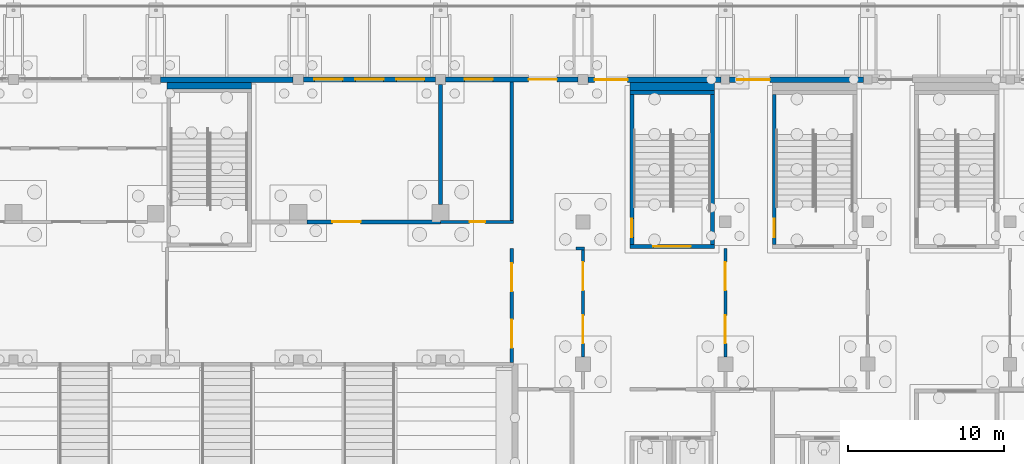
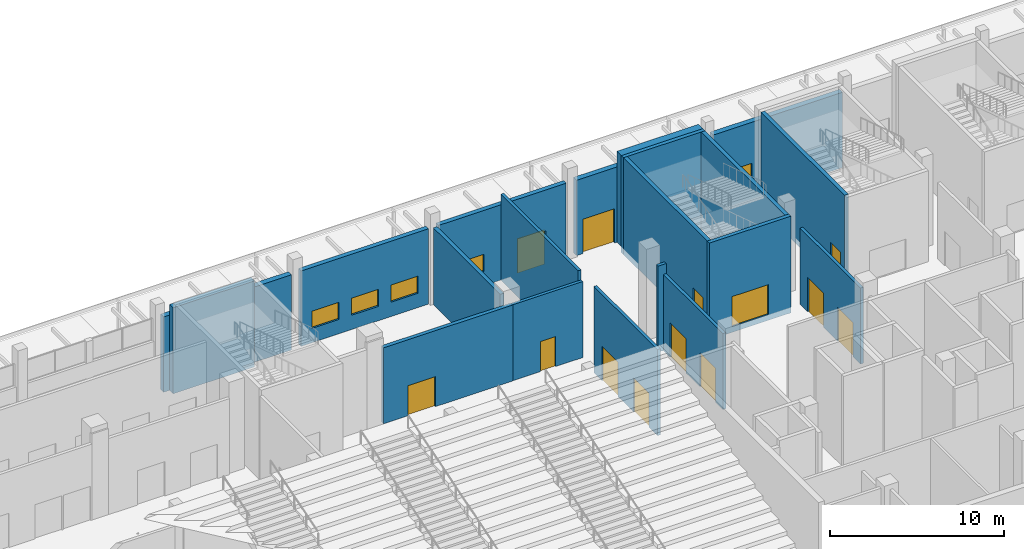
# One storey, part 82 of 129: 20 walls, 14 doors, 4 windows, 18 openings.
"""IFC4 building model written with IfcOpenShell, lengths in metres."""

from ifc_helpers import new_model, si_unit, direction, frame, frame_2d, origin, place, context, subcontext, project, spatial, rectangle, extrude, material, layer, layer_set, type_object, element, fill, save


model = new_model("IFC4")

# Units and contexts
model_context = context("Model", 3, precision=1e-05, world=origin(), true_north=direction((0.0, 1.0)))
body_context = subcontext(model_context, "Body", "Model", "MODEL_VIEW")
ifc_project = project(units=[si_unit("LENGTHUNIT", "METRE"), si_unit("AREAUNIT", "SQUARE_METRE"), si_unit("VOLUMEUNIT", "CUBIC_METRE"), si_unit("PLANEANGLEUNIT", "RADIAN"), si_unit("MASSUNIT", "GRAM", prefix="KILO")], contexts=[model_context])

# Site, building, storey
site_placement = place(None, origin())
site = spatial("IfcSite", under=ifc_project, at=site_placement, CompositionType="ELEMENT")
building_placement = place(site_placement, origin())
building = spatial("IfcBuilding", under=site, at=building_placement, Name="Shirokan Park Arena", CompositionType="ELEMENT")
storey_placement = place(building_placement, origin())
storey = spatial("IfcBuildingStorey", under=building, at=storey_placement, Name="L00", CompositionType="ELEMENT", Elevation=0.0)

# Wall, openings, window, door
ifc_material_1 = material(Name="Board-formed concrete C40/50", Category="concrete")
ifc_layer_1 = layer(ifc_material_1, 0.1201171875, Name="Board-formed concrete C40/50")
ifc_material_2 = material(Name="Mineral wool insulation")
ifc_layer_2 = layer(ifc_material_2, 0.10009765625, Name="Mineral wool insulation")
ifc_material_3 = material(Name="Concrete C35", Category="concrete")
ifc_layer_3 = layer(ifc_material_3, 0.080078125, Name="Concrete C35")
ifc_layer_set_1 = layer_set([ifc_layer_1, ifc_layer_2, ifc_layer_3], Name="Board-formed concrete C40/50 + Mineral wool insulation + Concrete C35")
wall_type_1 = type_object("IfcWallType", Name="Board-formed concrete base wall 300", PredefinedType="SOLIDWALL", material=ifc_layer_set_1)
wall_1_placement = place(storey_placement, frame((108.875, 109.199951171875, 0.0), z_axis=(0.0, 0.0, 1.0), x_axis=(-1.0, 0.0, 0.0)))
wall_1 = element("IfcWall", 1, at=wall_1_placement, inside=storey, type_object=wall_type_1, Name="North facade wall bay 5 L00", PredefinedType="SOLIDWALL", context=body_context, shape_type="SweptSolid", body=[
    extrude(rectangle(XDim=8.449951171875, YDim=0.300048828125, at=frame_2d((4.22509765625, 0.0))), origin(), (0.0, 0.0, 1.0), 5.27001953125),
])
opening_1_placement = place(wall_1_placement, frame((1.35009765625, 0.0, 0.0)))
opening_1 = element("IfcOpeningElement", 2, at=opening_1_placement, cuts=wall_1, Name="Opening G24", PredefinedType="OPENING", context=body_context, shape_type="SweptSolid", body=[
    extrude(rectangle(XDim=1.800048828125, YDim=2.39990234375, at=frame_2d((0.89990234375, 1.199951171875))), frame((0.0, 0.159912109375, 0.0), z_axis=(0.0, -1.0, 0.0), x_axis=(1.0, 0.0, 0.0)), (0.0, 0.0, 1.0), 0.320068359375),
])
opening_2_placement = place(wall_1_placement, frame((5.4375, 0.0, 1.0)))
opening_2 = element("IfcOpeningElement", 3, at=opening_2_placement, cuts=wall_1, Name="Opening W4", PredefinedType="OPENING", context=body_context, shape_type="SweptSolid", body=[
    extrude(rectangle(XDim=1.800048828125, YDim=1.199951171875, at=frame_2d((0.89990234375, 0.60009765625))), frame((0.0, 0.159912109375, 0.0), z_axis=(0.0, -1.0, 0.0), x_axis=(1.0, 0.0, 0.0)), (0.0, 0.0, 1.0), 0.320068359375),
])
ifc_material_4 = material(Name="Aluminium frame with laminated glass", Category="aluminium")
window_type = type_object("IfcWindowType", Name="Entrance zone window 1800x1200", PartitioningType="DOUBLE_PANEL_VERTICAL", PredefinedType="WINDOW", material=ifc_material_4)
window_1_placement = place(opening_2_placement, origin())
window_1 = element("IfcWindow", 4, at=window_1_placement, inside=storey, type_object=window_type, Name="Entrance zone window 1800x1200 north bay 5 L00", OverallHeight=1.199951171875, OverallWidth=1.800048828125, PartitioningType="SINGLE_PANEL", PredefinedType="WINDOW", context=body_context, shape_type="SweptSolid", body=[
    extrude(rectangle(XDim=1.800048828125, YDim=1.199951171875, at=frame_2d((0.89990234375, 0.60009765625))), frame((0.0, 0.030029296875, 0.0), z_axis=(0.0, -1.0, 0.0), x_axis=(1.0, 0.0, 0.0)), (0.0, 0.0, 1.0), 0.06005859375),
])
fill(opening_2, window_1)
ifc_material_5 = material(Name="Steel and glass door", Category="steel")
door_type_1 = type_object("IfcDoorType", Name="Exit door pair 1800x2400", OperationType="DOUBLE_DOOR_SINGLE_SWING", PredefinedType="DOOR", material=ifc_material_5)
door_1_placement = place(opening_1_placement, frame((1.800048828125, 0.0, 0.0), z_axis=(0.0, 0.0, 1.0), x_axis=(-1.0, 0.0, 0.0)))
door_1 = element("IfcDoor", 5, at=door_1_placement, inside=storey, type_object=door_type_1, Name="Pedestrian exit gate G24", OperationType="DOUBLE_DOOR_SINGLE_SWING", OverallHeight=2.39990234375, OverallWidth=1.800048828125, PredefinedType="DOOR", context=body_context, shape_type="SweptSolid", body=[
    extrude(rectangle(XDim=1.800048828125, YDim=2.39990234375, at=frame_2d((0.89990234375, 1.199951171875))), frame((0.0, 0.02490234375, 0.0), z_axis=(0.0, -1.0, 0.0), x_axis=(1.0, 0.0, 0.0)), (0.0, 0.0, 1.0), 0.050048828125),
])
fill(opening_1, door_1)

# Wall, openings, windows
wall_2_placement = place(storey_placement, frame((99.77490234375, 109.199951171875, 0.0), z_axis=(0.0, 0.0, 1.0), x_axis=(-1.0, 0.0, 0.0)))
wall_2 = element("IfcWall", 6, at=wall_2_placement, inside=storey, type_object=wall_type_1, Name="North facade wall bay 6 L00", PredefinedType="SOLIDWALL", context=body_context, shape_type="SweptSolid", body=[
    extrude(rectangle(XDim=8.449951171875, YDim=0.300048828125, at=frame_2d((4.22509765625, 0.0))), origin(), (0.0, 0.0, 1.0), 5.27001953125),
])
opening_3_placement = place(wall_2_placement, frame((0.708251953125, 0.0, 1.0)))
opening_3 = element("IfcOpeningElement", 7, at=opening_3_placement, cuts=wall_2, Name="Opening W4", PredefinedType="OPENING", context=body_context, shape_type="SweptSolid", body=[
    extrude(rectangle(XDim=1.800048828125, YDim=1.199951171875, at=frame_2d((0.89990234375, 0.60009765625))), frame((0.0, 0.159912109375, 0.0), z_axis=(0.0, -1.0, 0.0), x_axis=(1.0, 0.0, 0.0)), (0.0, 0.0, 1.0), 0.320068359375),
])
opening_4_placement = place(wall_2_placement, frame((3.324951171875, 0.0, 1.0)))
opening_4 = element("IfcOpeningElement", 8, at=opening_4_placement, cuts=wall_2, Name="Opening W4", PredefinedType="OPENING", context=body_context, shape_type="SweptSolid", body=[
    extrude(rectangle(XDim=1.800048828125, YDim=1.199951171875, at=frame_2d((0.89990234375, 0.60009765625))), frame((0.0, 0.159912109375, 0.0), z_axis=(0.0, -1.0, 0.0), x_axis=(1.0, 0.0, 0.0)), (0.0, 0.0, 1.0), 0.320068359375),
])
opening_5_placement = place(wall_2_placement, frame((5.941650390625, 0.0, 1.0)))
opening_5 = element("IfcOpeningElement", 9, at=opening_5_placement, cuts=wall_2, Name="Opening W4", PredefinedType="OPENING", context=body_context, shape_type="SweptSolid", body=[
    extrude(rectangle(XDim=1.800048828125, YDim=1.199951171875, at=frame_2d((0.89990234375, 0.60009765625))), frame((0.0, 0.159912109375, 0.0), z_axis=(0.0, -1.0, 0.0), x_axis=(1.0, 0.0, 0.0)), (0.0, 0.0, 1.0), 0.320068359375),
])
window_2_placement = place(opening_3_placement, origin())
window_2 = element("IfcWindow", 10, at=window_2_placement, inside=storey, type_object=window_type, Name="Entrance zone window 1800x1200 north bay 6 L00", OverallHeight=1.199951171875, OverallWidth=1.800048828125, PartitioningType="SINGLE_PANEL", PredefinedType="WINDOW", context=body_context, shape_type="SweptSolid", body=[
    extrude(rectangle(XDim=1.800048828125, YDim=1.199951171875, at=frame_2d((0.89990234375, 0.60009765625))), frame((0.0, 0.030029296875, 0.0), z_axis=(0.0, -1.0, 0.0), x_axis=(1.0, 0.0, 0.0)), (0.0, 0.0, 1.0), 0.06005859375),
])
fill(opening_3, window_2)
window_3_placement = place(opening_4_placement, origin())
window_3 = element("IfcWindow", 11, at=window_3_placement, inside=storey, type_object=window_type, Name="Entrance zone window 1800x1200 north bay 6 L00", OverallHeight=1.199951171875, OverallWidth=1.800048828125, PartitioningType="SINGLE_PANEL", PredefinedType="WINDOW", context=body_context, shape_type="SweptSolid", body=[
    extrude(rectangle(XDim=1.800048828125, YDim=1.199951171875, at=frame_2d((0.89990234375, 0.60009765625))), frame((0.0, 0.030029296875, 0.0), z_axis=(0.0, -1.0, 0.0), x_axis=(1.0, 0.0, 0.0)), (0.0, 0.0, 1.0), 0.06005859375),
])
fill(opening_4, window_3)
window_4_placement = place(opening_5_placement, origin())
window_4 = element("IfcWindow", 12, at=window_4_placement, inside=storey, type_object=window_type, Name="Entrance zone window 1800x1200 north bay 6 L00", OverallHeight=1.199951171875, OverallWidth=1.800048828125, PartitioningType="SINGLE_PANEL", PredefinedType="WINDOW", context=body_context, shape_type="SweptSolid", body=[
    extrude(rectangle(XDim=1.800048828125, YDim=1.199951171875, at=frame_2d((0.89990234375, 0.60009765625))), frame((0.0, 0.030029296875, 0.0), z_axis=(0.0, -1.0, 0.0), x_axis=(1.0, 0.0, 0.0)), (0.0, 0.0, 1.0), 0.06005859375),
])
fill(opening_5, window_4)

# Wall
ifc_material_6 = material(Name="Plaster")
ifc_layer_4 = layer(ifc_material_6, 0.014892578125, Name="Plaster")
ifc_material_7 = material(Name="Concrete blockwork", Category="masonry")
ifc_layer_5 = layer(ifc_material_7, 0.219970703125, Name="Concrete blockwork 220")
ifc_layer_6 = layer(ifc_material_6, 0.014892578125, Name="Plaster")
ifc_layer_set_2 = layer_set([ifc_layer_4, ifc_layer_5, ifc_layer_6], Name="Plaster + Concrete blockwork 220")
wall_type_2 = type_object("IfcWallType", Name="Compartment wall 250", PredefinedType="SOLIDWALL", material=ifc_layer_set_2)
wall_3_placement = place(storey_placement, frame((100.10009765625, 108.875, 0.0), z_axis=(0.0, 0.0, 1.0), x_axis=(0.0, -1.0, 0.0)))
element("IfcWall", 13, at=wall_3_placement, inside=storey, type_object=wall_type_2, Name="Compartment wall 250 L00", PredefinedType="SOLIDWALL", context=body_context, shape_type="SweptSolid", body=[
    extrude(rectangle(XDim=7.675048828125, YDim=0.25, at=frame_2d((3.83740234375, 0.0))), origin(), (0.0, 0.0, 1.0), 5.3701171875),
])

# Wall, opening, door
wall_4_placement = place(storey_placement, frame((91.550048828125, 100.10009765625, 0.0), z_axis=(0.0, 0.0, 1.0), x_axis=(1.0, 0.0, 0.0)))
wall_4 = element("IfcWall", 14, at=wall_4_placement, inside=storey, type_object=wall_type_2, Name="Compartment wall 250 L00", PredefinedType="SOLIDWALL", context=body_context, shape_type="SweptSolid", body=[
    extrude(rectangle(XDim=8.550048828125, YDim=0.25, at=frame_2d((4.27490234375, 0.0))), origin(), (0.0, 0.0, 1.0), 5.320068359375),
])
opening_6_placement = place(wall_4_placement, frame((1.6298828125, 0.0, 0.0)))
opening_6 = element("IfcOpeningElement", 15, at=opening_6_placement, cuts=wall_4, Name="Opening D-0030", PredefinedType="OPENING", context=body_context, shape_type="SweptSolid", body=[
    extrude(rectangle(XDim=1.800048828125, YDim=2.10009765625, at=frame_2d((0.89990234375, 1.050048828125))), frame((0.0, 0.135009765625, 0.0), z_axis=(0.0, -1.0, 0.0), x_axis=(1.0, 0.0, 0.0)), (0.0, 0.0, 1.0), 0.27001953125),
])
ifc_material_8 = material(Name="Timber door set, fire resisting", Category="wood")
door_type_2 = type_object("IfcDoorType", Name="Double door 1800 x 2100", OperationType="DOUBLE_DOOR_SINGLE_SWING", PredefinedType="DOOR", material=ifc_material_8)
door_2_placement = place(opening_6_placement, origin())
door_2 = element("IfcDoor", 16, at=door_2_placement, inside=storey, type_object=door_type_2, Name="Door to Security Control Room 0.32 D-0030", OperationType="DOUBLE_DOOR_SINGLE_SWING", OverallHeight=2.10009765625, OverallWidth=1.800048828125, PredefinedType="DOOR", context=body_context, shape_type="SweptSolid", body=[
    extrude(rectangle(XDim=1.800048828125, YDim=2.10009765625, at=frame_2d((0.89990234375, 1.050048828125))), frame((0.0, 0.02490234375, 0.0), z_axis=(0.0, -1.0, 0.0), x_axis=(1.0, 0.0, 0.0)), (0.0, 0.0, 1.0), 0.050048828125),
])
fill(opening_6, door_2)

ifc_material_9 = material(Name="Gypsum board")
ifc_layer_7 = layer(ifc_material_9, 0.02490234375, Name="Gypsum board, two layers")
ifc_layer_8 = layer(ifc_material_2, 0.14990234375, Name="Mineral wool insulation")
ifc_layer_9 = layer(ifc_material_9, 0.02490234375, Name="Gypsum board, two layers")
ifc_layer_set_3 = layer_set([ifc_layer_7, ifc_layer_8, ifc_layer_9], Name="Gypsum board, two layers + Mineral wool insulation")
wall_type_3 = type_object("IfcWallType", Name="Corridor wall 200", PredefinedType="PARTITIONING", material=ifc_layer_set_3)
wall_5_placement = place(storey_placement, frame((100.10009765625, 100.10009765625, 0.0), z_axis=(0.0, 0.0, 1.0), x_axis=(1.0, 0.0, 0.0)))
wall_5 = element("IfcWall", 17, at=wall_5_placement, inside=storey, type_object=wall_type_3, Name="Corridor wall 200 L00", PredefinedType="PARTITIONING", context=body_context, shape_type="SweptSolid", body=[
    extrude(rectangle(XDim=4.64990234375, YDim=0.199951171875, at=frame_2d((2.324951171875, 0.0))), origin(), (0.0, 0.0, 1.0), 5.320068359375),
])
opening_7_placement = place(wall_5_placement, frame((1.85009765625, 0.0, 0.0)))
opening_7 = element("IfcOpeningElement", 18, at=opening_7_placement, cuts=wall_5, Name="Opening D-0031", PredefinedType="OPENING", context=body_context, shape_type="SweptSolid", body=[
    extrude(rectangle(XDim=1.0, YDim=2.10009765625, at=frame_2d((0.5, 1.050048828125))), frame((0.0, 0.10986328125, 0.0), z_axis=(0.0, -1.0, 0.0), x_axis=(1.0, 0.0, 0.0)), (0.0, 0.0, 1.0), 0.219970703125),
])
door_type_3 = type_object("IfcDoorType", Name="Door 1000 x 2100", OperationType="SINGLE_SWING_LEFT", PredefinedType="DOOR", material=ifc_material_8)
door_3_placement = place(opening_7_placement, origin())
door_3 = element("IfcDoor", 19, at=door_3_placement, inside=storey, type_object=door_type_3, Name="Door to Box Office 0.33 D-0031", OperationType="SINGLE_SWING_LEFT", OverallHeight=2.10009765625, OverallWidth=1.0, PredefinedType="DOOR", context=body_context, shape_type="SweptSolid", body=[
    extrude(rectangle(XDim=1.0, YDim=2.10009765625, at=frame_2d((0.5, 1.050048828125))), frame((0.0, 0.02490234375, 0.0), z_axis=(0.0, -1.0, 0.0), x_axis=(1.0, 0.0, 0.0)), (0.0, 0.0, 1.0), 0.050048828125),
])
fill(opening_7, door_3)

# Wall, openings, doors
wall_6_placement = place(storey_placement, frame((104.64990234375, 91.10009765625, 0.0), z_axis=(0.0, 0.0, 1.0), x_axis=(0.0, 1.0, 0.0)))
wall_6 = element("IfcWall", 20, at=wall_6_placement, inside=storey, type_object=wall_type_3, Name="Corridor wall 200 L00", PredefinedType="PARTITIONING", context=body_context, shape_type="SweptSolid", body=[
    extrude(rectangle(XDim=7.2998046875, YDim=0.199951171875, at=frame_2d((3.64990234375, 0.0))), origin(), (0.0, 0.0, 1.0), 6.02001953125),
])
opening_8_placement = place(wall_6_placement, frame((0.949951171875, 0.0, 0.0)))
opening_8 = element("IfcOpeningElement", 21, at=opening_8_placement, cuts=wall_6, Name="Opening D-0083", PredefinedType="OPENING", context=body_context, shape_type="SweptSolid", body=[
    extrude(rectangle(XDim=1.800048828125, YDim=2.39990234375, at=frame_2d((0.89990234375, 1.199951171875))), frame((0.0, 0.10986328125, 0.0), z_axis=(0.0, -1.0, 0.0), x_axis=(1.0, 0.0, 0.0)), (0.0, 0.0, 1.0), 0.219970703125),
])
opening_9_placement = place(wall_6_placement, frame((4.550048828125, 0.0, 0.0)))
opening_9 = element("IfcOpeningElement", 22, at=opening_9_placement, cuts=wall_6, Name="Opening D-0084", PredefinedType="OPENING", context=body_context, shape_type="SweptSolid", body=[
    extrude(rectangle(XDim=1.800048828125, YDim=2.39990234375, at=frame_2d((0.89990234375, 1.199951171875))), frame((0.0, 0.10986328125, 0.0), z_axis=(0.0, -1.0, 0.0), x_axis=(1.0, 0.0, 0.0)), (0.0, 0.0, 1.0), 0.219970703125),
])
ifc_material_10 = material(Name="Glazed steel door set, fire resisting", Category="steel")
door_type_4 = type_object("IfcDoorType", Name="Lift lobby door 1800 x 2400", OperationType="DOUBLE_DOOR_SINGLE_SWING", PredefinedType="DOOR", material=ifc_material_10)
door_4_placement = place(opening_8_placement, origin())
door_4 = element("IfcDoor", 23, at=door_4_placement, inside=storey, type_object=door_type_4, Name="Door between Players Lounge 3.0.5 and Cloakroom Hall E4 D-0083", OperationType="DOUBLE_DOOR_SINGLE_SWING", OverallHeight=2.39990234375, OverallWidth=1.800048828125, PredefinedType="DOOR", context=body_context, shape_type="SweptSolid", body=[
    extrude(rectangle(XDim=1.800048828125, YDim=2.39990234375, at=frame_2d((0.89990234375, 1.199951171875))), frame((0.0, 0.02490234375, 0.0), z_axis=(0.0, -1.0, 0.0), x_axis=(1.0, 0.0, 0.0)), (0.0, 0.0, 1.0), 0.050048828125),
])
fill(opening_8, door_4)
door_5_placement = place(opening_9_placement, origin())
door_5 = element("IfcDoor", 24, at=door_5_placement, inside=storey, type_object=door_type_4, Name="Door between Players Lounge 3.0.5 and Cloakroom Hall E4 D-0084", OperationType="DOUBLE_DOOR_SINGLE_SWING", OverallHeight=2.39990234375, OverallWidth=1.800048828125, PredefinedType="DOOR", context=body_context, shape_type="SweptSolid", body=[
    extrude(rectangle(XDim=1.800048828125, YDim=2.39990234375, at=frame_2d((0.89990234375, 1.199951171875))), frame((0.0, 0.02490234375, 0.0), z_axis=(0.0, -1.0, 0.0), x_axis=(1.0, 0.0, 0.0)), (0.0, 0.0, 1.0), 0.050048828125),
])
fill(opening_9, door_5)

# Wall
wall_7_placement = place(storey_placement, frame((104.64990234375, 100.199951171875, 0.0), z_axis=(0.0, 0.0, 1.0), x_axis=(0.0, 1.0, 0.0)))
element("IfcWall", 25, at=wall_7_placement, inside=storey, type_object=wall_type_3, Name="Corridor wall 200 L00", PredefinedType="PARTITIONING", context=body_context, shape_type="SweptSolid", body=[
    extrude(rectangle(XDim=8.85009765625, YDim=0.199951171875, at=frame_2d((4.425048828125, 0.0))), origin(), (0.0, 0.0, 1.0), 6.02001953125),
])

# Wall, openings, doors
wall_8_placement = place(storey_placement, frame((109.199951171875, 91.47509765625, 0.0), z_axis=(0.0, 0.0, 1.0), x_axis=(0.0, 1.0, 0.0)))
wall_8 = element("IfcWall", 26, at=wall_8_placement, inside=storey, type_object=wall_type_3, Name="Corridor wall 200 L00", PredefinedType="PARTITIONING", context=body_context, shape_type="SweptSolid", body=[
    extrude(rectangle(XDim=6.824951171875, YDim=0.199951171875, at=frame_2d((3.41259765625, 0.0))), origin(), (0.0, 0.0, 1.0), 5.320068359375),
])
opening_10_placement = place(wall_8_placement, frame((0.85009765625, 0.0, 0.0)))
opening_10 = element("IfcOpeningElement", 27, at=opening_10_placement, cuts=wall_8, Name="Opening D-0080", PredefinedType="OPENING", context=body_context, shape_type="SweptSolid", body=[
    extrude(rectangle(XDim=1.800048828125, YDim=2.39990234375, at=frame_2d((0.89990234375, 1.199951171875))), frame((0.0, 0.10986328125, 0.0), z_axis=(0.0, -1.0, 0.0), x_axis=(1.0, 0.0, 0.0)), (0.0, 0.0, 1.0), 0.219970703125),
])
opening_11_placement = place(wall_8_placement, frame((4.25, 0.0, 0.0)))
opening_11 = element("IfcOpeningElement", 28, at=opening_11_placement, cuts=wall_8, Name="Opening D-0081", PredefinedType="OPENING", context=body_context, shape_type="SweptSolid", body=[
    extrude(rectangle(XDim=1.800048828125, YDim=2.39990234375, at=frame_2d((0.89990234375, 1.199951171875))), frame((0.0, 0.10986328125, 0.0), z_axis=(0.0, -1.0, 0.0), x_axis=(1.0, 0.0, 0.0)), (0.0, 0.0, 1.0), 0.219970703125),
])
door_6_placement = place(opening_10_placement, origin())
door_6 = element("IfcDoor", 29, at=door_6_placement, inside=storey, type_object=door_type_4, Name="Door between Team Foyer 3.0.4 and Players Lounge 3.0.5 D-0080", OperationType="DOUBLE_DOOR_SINGLE_SWING", OverallHeight=2.39990234375, OverallWidth=1.800048828125, PredefinedType="DOOR", context=body_context, shape_type="SweptSolid", body=[
    extrude(rectangle(XDim=1.800048828125, YDim=2.39990234375, at=frame_2d((0.89990234375, 1.199951171875))), frame((0.0, 0.02490234375, 0.0), z_axis=(0.0, -1.0, 0.0), x_axis=(1.0, 0.0, 0.0)), (0.0, 0.0, 1.0), 0.050048828125),
])
fill(opening_10, door_6)
door_7_placement = place(opening_11_placement, origin())
door_7 = element("IfcDoor", 30, at=door_7_placement, inside=storey, type_object=door_type_4, Name="Door between Team Foyer 3.0.4 and Players Lounge 3.0.5 D-0081", OperationType="DOUBLE_DOOR_SINGLE_SWING", OverallHeight=2.39990234375, OverallWidth=1.800048828125, PredefinedType="DOOR", context=body_context, shape_type="SweptSolid", body=[
    extrude(rectangle(XDim=1.800048828125, YDim=2.39990234375, at=frame_2d((0.89990234375, 1.199951171875))), frame((0.0, 0.02490234375, 0.0), z_axis=(0.0, -1.0, 0.0), x_axis=(1.0, 0.0, 0.0)), (0.0, 0.0, 1.0), 0.050048828125),
])
fill(opening_11, door_7)

# Wall
wall_9_placement = place(storey_placement, frame((109.300048828125, 98.39990234375, 0.0), z_axis=(0.0, 0.0, 1.0), x_axis=(-1.0, 0.0, 0.0)))
element("IfcWall", 31, at=wall_9_placement, inside=storey, type_object=wall_type_3, Name="Corridor wall 200 L00", PredefinedType="PARTITIONING", context=body_context, shape_type="SweptSolid", body=[
    extrude(rectangle(XDim=0.550048828125, YDim=0.199951171875, at=frame_2d((0.27490234375, 0.0))), origin(), (0.0, 0.0, 1.0), 6.02001953125),
])

# Wall, openings, doors
wall_10_placement = place(storey_placement, frame((118.300048828125, 91.47509765625, 0.0), z_axis=(0.0, 0.0, 1.0), x_axis=(0.0, 1.0, 0.0)))
wall_10 = element("IfcWall", 32, at=wall_10_placement, inside=storey, type_object=wall_type_3, Name="Corridor wall 200 L00", PredefinedType="PARTITIONING", context=body_context, shape_type="SweptSolid", body=[
    extrude(rectangle(XDim=6.9248046875, YDim=0.199951171875, at=frame_2d((3.46240234375, 0.0))), origin(), (0.0, 0.0, 1.0), 5.320068359375),
])
opening_12_placement = place(wall_10_placement, frame((0.85009765625, 0.0, 0.0)))
opening_12 = element("IfcOpeningElement", 33, at=opening_12_placement, cuts=wall_10, Name="Opening D-0077", PredefinedType="OPENING", context=body_context, shape_type="SweptSolid", body=[
    extrude(rectangle(XDim=1.800048828125, YDim=2.39990234375, at=frame_2d((0.89990234375, 1.199951171875))), frame((0.0, 0.10986328125, 0.0), z_axis=(0.0, -1.0, 0.0), x_axis=(1.0, 0.0, 0.0)), (0.0, 0.0, 1.0), 0.219970703125),
])
opening_13_placement = place(wall_10_placement, frame((4.25, 0.0, 0.0)))
opening_13 = element("IfcOpeningElement", 34, at=opening_13_placement, cuts=wall_10, Name="Opening D-0078", PredefinedType="OPENING", context=body_context, shape_type="SweptSolid", body=[
    extrude(rectangle(XDim=1.800048828125, YDim=2.39990234375, at=frame_2d((0.89990234375, 1.199951171875))), frame((0.0, 0.10986328125, 0.0), z_axis=(0.0, -1.0, 0.0), x_axis=(1.0, 0.0, 0.0)), (0.0, 0.0, 1.0), 0.219970703125),
])
door_8_placement = place(opening_12_placement, origin())
door_8 = element("IfcDoor", 35, at=door_8_placement, inside=storey, type_object=door_type_4, Name="Door between Hospitality Reception 3.0.3 and Team Foyer 3.0.4 D-0077", OperationType="DOUBLE_DOOR_SINGLE_SWING", OverallHeight=2.39990234375, OverallWidth=1.800048828125, PredefinedType="DOOR", context=body_context, shape_type="SweptSolid", body=[
    extrude(rectangle(XDim=1.800048828125, YDim=2.39990234375, at=frame_2d((0.89990234375, 1.199951171875))), frame((0.0, 0.02490234375, 0.0), z_axis=(0.0, -1.0, 0.0), x_axis=(1.0, 0.0, 0.0)), (0.0, 0.0, 1.0), 0.050048828125),
])
fill(opening_12, door_8)
door_9_placement = place(opening_13_placement, origin())
door_9 = element("IfcDoor", 36, at=door_9_placement, inside=storey, type_object=door_type_4, Name="Door between Hospitality Reception 3.0.3 and Team Foyer 3.0.4 D-0078", OperationType="DOUBLE_DOOR_SINGLE_SWING", OverallHeight=2.39990234375, OverallWidth=1.800048828125, PredefinedType="DOOR", context=body_context, shape_type="SweptSolid", body=[
    extrude(rectangle(XDim=1.800048828125, YDim=2.39990234375, at=frame_2d((0.89990234375, 1.199951171875))), frame((0.0, 0.02490234375, 0.0), z_axis=(0.0, -1.0, 0.0), x_axis=(1.0, 0.0, 0.0)), (0.0, 0.0, 1.0), 0.050048828125),
])
fill(opening_13, door_9)

# Wall, opening, door
ifc_material_11 = material(Name="Cedar cladding")
ifc_layer_10 = layer(ifc_material_11, 0.030029296875, Name="Cedar cladding")
ifc_layer_11 = layer(ifc_material_2, 0.10009765625, Name="Mineral wool insulation")
ifc_layer_12 = layer(ifc_material_3, 0.199951171875, Name="Concrete C35")
ifc_material_12 = material(Name="Gypsum board lining")
ifc_layer_13 = layer(ifc_material_12, 0.02001953125, Name="Gypsum board lining")
ifc_layer_set_4 = layer_set([ifc_layer_10, ifc_layer_11, ifc_layer_12, ifc_layer_13], Name="Cedar cladding + Mineral wool insulation + Concrete C35 + Gypsum board lining")
wall_type_4 = type_object("IfcWallType", Name="Insulated tower wall 350", PredefinedType="SOLIDWALL", material=ifc_layer_set_4)
wall_11_placement = place(storey_placement, frame((127.125, 109.175048828125, 0.0), z_axis=(0.0, 0.0, 1.0), x_axis=(-1.0, 0.0, 0.0)))
wall_11 = element("IfcWall", 37, at=wall_11_placement, inside=storey, type_object=wall_type_4, Name="North facade wall bay 3 L00", PredefinedType="SOLIDWALL", context=body_context, shape_type="SweptSolid", body=[
    extrude(rectangle(XDim=8.550048828125, YDim=0.35009765625, at=frame_2d((4.27490234375, 0.0))), origin(), (0.0, 0.0, 1.0), 5.27001953125),
])
opening_14_placement = place(wall_11_placement, frame((5.97509765625, 0.0, 0.0)))
opening_14 = element("IfcOpeningElement", 38, at=opening_14_placement, cuts=wall_11, Name="Opening G22", PredefinedType="OPENING", context=body_context, shape_type="SweptSolid", body=[
    extrude(rectangle(XDim=2.10009765625, YDim=2.39990234375, at=frame_2d((1.050048828125, 1.199951171875))), frame((0.0, 0.18505859375, 0.0), z_axis=(0.0, -1.0, 0.0), x_axis=(1.0, 0.0, 0.0)), (0.0, 0.0, 1.0), 0.3701171875),
])
door_type_5 = type_object("IfcDoorType", Name="Exit door pair 2100x2400", OperationType="DOUBLE_DOOR_SINGLE_SWING", PredefinedType="DOOR", material=ifc_material_5)
door_10_placement = place(opening_14_placement, frame((2.10009765625, 0.0, 0.0), z_axis=(0.0, 0.0, 1.0), x_axis=(-1.0, 0.0, 0.0)))
door_10 = element("IfcDoor", 39, at=door_10_placement, inside=storey, type_object=door_type_5, Name="Pedestrian exit gate G22", OperationType="DOUBLE_DOOR_SINGLE_SWING", OverallHeight=2.39990234375, OverallWidth=2.10009765625, PredefinedType="DOOR", context=body_context, shape_type="SweptSolid", body=[
    extrude(rectangle(XDim=2.10009765625, YDim=2.39990234375, at=frame_2d((1.050048828125, 1.199951171875))), frame((0.0, 0.02490234375, 0.0), z_axis=(0.0, -1.0, 0.0), x_axis=(1.0, 0.0, 0.0)), (0.0, 0.0, 1.0), 0.050048828125),
])
fill(opening_14, door_10)

wall_12_placement = place(storey_placement, frame((118.02490234375, 109.175048828125, 0.0), z_axis=(0.0, 0.0, 1.0), x_axis=(-1.0, 0.0, 0.0)))
wall_12 = element("IfcWall", 40, at=wall_12_placement, inside=storey, type_object=wall_type_4, Name="North facade wall bay 4 L00", PredefinedType="SOLIDWALL", context=body_context, shape_type="SweptSolid", body=[
    extrude(rectangle(XDim=8.5, YDim=0.35009765625, at=frame_2d((4.25, 0.0))), origin(), (0.0, 0.0, 1.0), 5.27001953125),
])
opening_15_placement = place(wall_12_placement, frame((5.97509765625, 0.0, 0.0)))
opening_15 = element("IfcOpeningElement", 41, at=opening_15_placement, cuts=wall_12, Name="Opening G23", PredefinedType="OPENING", context=body_context, shape_type="SweptSolid", body=[
    extrude(rectangle(XDim=2.10009765625, YDim=2.39990234375, at=frame_2d((1.050048828125, 1.199951171875))), frame((0.0, 0.18505859375, 0.0), z_axis=(0.0, -1.0, 0.0), x_axis=(1.0, 0.0, 0.0)), (0.0, 0.0, 1.0), 0.3701171875),
])
door_11_placement = place(opening_15_placement, frame((2.10009765625, 0.0, 0.0), z_axis=(0.0, 0.0, 1.0), x_axis=(-1.0, 0.0, 0.0)))
door_11 = element("IfcDoor", 42, at=door_11_placement, inside=storey, type_object=door_type_5, Name="Pedestrian exit gate G23", OperationType="DOUBLE_DOOR_SINGLE_SWING", OverallHeight=2.39990234375, OverallWidth=2.10009765625, PredefinedType="DOOR", context=body_context, shape_type="SweptSolid", body=[
    extrude(rectangle(XDim=2.10009765625, YDim=2.39990234375, at=frame_2d((1.050048828125, 1.199951171875))), frame((0.0, 0.02490234375, 0.0), z_axis=(0.0, -1.0, 0.0), x_axis=(1.0, 0.0, 0.0)), (0.0, 0.0, 1.0), 0.050048828125),
])
fill(opening_15, door_11)

# Wall
wall_13_placement = place(storey_placement, frame((90.675048828125, 109.175048828125, 0.0), z_axis=(0.0, 0.0, 1.0), x_axis=(-1.0, 0.0, 0.0)))
element("IfcWall", 43, at=wall_13_placement, inside=storey, type_object=wall_type_4, Name="North facade wall bay 7 L00", PredefinedType="SOLIDWALL", context=body_context, shape_type="SweptSolid", body=[
    extrude(rectangle(XDim=8.47509765625, YDim=0.35009765625, at=frame_2d((4.237548828125, 0.0))), origin(), (0.0, 0.0, 1.0), 5.27001953125),
])

# Wall, opening, door
ifc_material_13 = material(Name="Concrete C40/50", Category="concrete")
ifc_layer_14 = layer(ifc_material_13, 0.25)
ifc_layer_set_5 = layer_set([ifc_layer_14], Name="Concrete C40/50 250 mm")
wall_type_5 = type_object("IfcWallType", Name="RC shear wall 250", PredefinedType="SHEAR", material=ifc_layer_set_5)
wall_14_placement = place(storey_placement, frame((121.425048828125, 108.25, -0.39990234375), z_axis=(0.0, 0.0, 1.0), x_axis=(0.0, -1.0, 0.0)))
wall_14 = element("IfcWall", 44, at=wall_14_placement, inside=storey, type_object=wall_type_5, Name="Shaft wall Exit Stair 3.C W L00", PredefinedType="SHEAR", context=body_context, shape_type="SweptSolid", body=[
    extrude(rectangle(XDim=9.60009765625, YDim=0.25, at=frame_2d((4.800048828125, 0.0))), origin(), (0.0, 0.0, 1.0), 6.77001953125),
])
opening_16_placement = place(wall_14_placement, frame((7.949951171875, 0.0, 0.39990234375)))
opening_16 = element("IfcOpeningElement", 45, at=opening_16_placement, cuts=wall_14, Name="Opening D-0211", PredefinedType="OPENING", context=body_context, shape_type="SweptSolid", body=[
    extrude(rectangle(XDim=1.199951171875, YDim=2.10009765625, at=frame_2d((0.60009765625, 1.050048828125))), frame((0.0, 0.135009765625, 0.0), z_axis=(0.0, -1.0, 0.0), x_axis=(1.0, 0.0, 0.0)), (0.0, 0.0, 1.0), 0.27001953125),
])
ifc_material_14 = material(Name="Steel door set, fire resisting", Category="steel")
door_type_6 = type_object("IfcDoorType", Name="Stair exit door 1200 x 2100", OperationType="SINGLE_SWING_LEFT", PredefinedType="DOOR", material=ifc_material_14)
door_12_placement = place(opening_16_placement, origin())
door_12 = element("IfcDoor", 46, at=door_12_placement, inside=storey, type_object=door_type_6, Name="Stair exit door Exit Stair 3.C D-0211", OperationType="SINGLE_SWING_RIGHT", OverallHeight=2.10009765625, OverallWidth=1.199951171875, PredefinedType="DOOR", context=body_context, shape_type="SweptSolid", body=[
    extrude(rectangle(XDim=1.199951171875, YDim=2.10009765625, at=frame_2d((0.60009765625, 1.050048828125))), frame((0.0, 0.02490234375, 0.0), z_axis=(0.0, -1.0, 0.0), x_axis=(1.0, 0.0, 0.0)), (0.0, 0.0, 1.0), 0.050048828125),
])
fill(opening_16, door_12)

wall_15_placement = place(storey_placement, frame((117.60009765625, 98.52490234375, -0.39990234375), z_axis=(0.0, 0.0, 1.0), x_axis=(-1.0, 0.0, 0.0)))
wall_15 = element("IfcWall", 47, at=wall_15_placement, inside=storey, type_object=wall_type_5, Name="Shaft wall Exit Stair 3.D S L00", PredefinedType="SHEAR", context=body_context, shape_type="SweptSolid", body=[
    extrude(rectangle(XDim=5.400146484375, YDim=0.25, at=frame_2d((2.7001953125, 0.0))), origin(), (0.0, 0.0, 1.0), 6.77001953125),
])
opening_17_placement = place(wall_15_placement, frame((1.5, 0.0, 0.39990234375)))
opening_17 = element("IfcOpeningElement", 48, at=opening_17_placement, cuts=wall_15, Name="Opening D-0191", PredefinedType="OPENING", context=body_context, shape_type="SweptSolid", body=[
    extrude(rectangle(XDim=2.39990234375, YDim=2.10009765625, at=frame_2d((1.199951171875, 1.050048828125))), frame((0.0, 0.135009765625, 0.0), z_axis=(0.0, -1.0, 0.0), x_axis=(1.0, 0.0, 0.0)), (0.0, 0.0, 1.0), 0.27001953125),
])
door_type_7 = type_object("IfcDoorType", Name="Stair door 2400 x 2100", OperationType="DOUBLE_DOOR_SINGLE_SWING", PredefinedType="DOOR", material=ifc_material_14)
door_13_placement = place(opening_17_placement, origin())
door_13 = element("IfcDoor", 49, at=door_13_placement, inside=storey, type_object=door_type_7, Name="Stair door Exit Stair 3.D D-0191", OperationType="DOUBLE_DOOR_SINGLE_SWING", OverallHeight=2.10009765625, OverallWidth=2.39990234375, PredefinedType="DOOR", context=body_context, shape_type="SweptSolid", body=[
    extrude(rectangle(XDim=2.39990234375, YDim=2.10009765625, at=frame_2d((1.199951171875, 1.050048828125))), frame((0.0, 0.02490234375, 0.0), z_axis=(0.0, -1.0, 0.0), x_axis=(1.0, 0.0, 0.0)), (0.0, 0.0, 1.0), 0.050048828125),
])
fill(opening_17, door_13)

# Wall
wall_16_placement = place(storey_placement, frame((117.60009765625, 108.375, -0.39990234375), z_axis=(0.0, 0.0, 1.0), x_axis=(-1.0, 0.0, 0.0)))
element("IfcWall", 50, at=wall_16_placement, inside=storey, type_object=wall_type_5, Name="Shaft wall Exit Stair 3.D N L00", PredefinedType="SHEAR", context=body_context, shape_type="SweptSolid", body=[
    extrude(rectangle(XDim=5.400146484375, YDim=0.25, at=frame_2d((2.7001953125, 0.0))), origin(), (0.0, 0.0, 1.0), 6.77001953125),
])

# Wall, opening, door
wall_17_placement = place(storey_placement, frame((112.324951171875, 108.25, -0.39990234375), z_axis=(0.0, 0.0, 1.0), x_axis=(0.0, -1.0, 0.0)))
wall_17 = element("IfcWall", 51, at=wall_17_placement, inside=storey, type_object=wall_type_5, Name="Shaft wall Exit Stair 3.D W L00", PredefinedType="SHEAR", context=body_context, shape_type="SweptSolid", body=[
    extrude(rectangle(XDim=9.60009765625, YDim=0.25, at=frame_2d((4.800048828125, 0.0))), origin(), (0.0, 0.0, 1.0), 6.77001953125),
])
opening_18_placement = place(wall_17_placement, frame((7.949951171875, 0.0, 0.39990234375)))
opening_18 = element("IfcOpeningElement", 52, at=opening_18_placement, cuts=wall_17, Name="Opening D-0212", PredefinedType="OPENING", context=body_context, shape_type="SweptSolid", body=[
    extrude(rectangle(XDim=1.199951171875, YDim=2.10009765625, at=frame_2d((0.60009765625, 1.050048828125))), frame((0.0, 0.135009765625, 0.0), z_axis=(0.0, -1.0, 0.0), x_axis=(1.0, 0.0, 0.0)), (0.0, 0.0, 1.0), 0.27001953125),
])
door_14_placement = place(opening_18_placement, origin())
door_14 = element("IfcDoor", 53, at=door_14_placement, inside=storey, type_object=door_type_6, Name="Stair exit door Exit Stair 3.D D-0212", OperationType="SINGLE_SWING_RIGHT", OverallHeight=2.10009765625, OverallWidth=1.199951171875, PredefinedType="DOOR", context=body_context, shape_type="SweptSolid", body=[
    extrude(rectangle(XDim=1.199951171875, YDim=2.10009765625, at=frame_2d((0.60009765625, 1.050048828125))), frame((0.0, 0.02490234375, 0.0), z_axis=(0.0, -1.0, 0.0), x_axis=(1.0, 0.0, 0.0)), (0.0, 0.0, 1.0), 0.050048828125),
])
fill(opening_18, door_14)

# Walls
wall_18_placement = place(storey_placement, frame((117.47509765625, 108.25, -0.39990234375), z_axis=(0.0, 0.0, 1.0), x_axis=(0.0, -1.0, 0.0)))
element("IfcWall", 54, at=wall_18_placement, inside=storey, type_object=wall_type_5, Name="Shaft wall Exit Stair 3.D E L00", PredefinedType="SHEAR", context=body_context, shape_type="SweptSolid", body=[
    extrude(rectangle(XDim=9.60009765625, YDim=0.25, at=frame_2d((4.800048828125, 0.0))), origin(), (0.0, 0.0, 1.0), 6.77001953125),
])
ifc_layer_15 = layer(ifc_material_3, 0.39990234375)
ifc_layer_set_6 = layer_set([ifc_layer_15], Name="Concrete C35 400 mm")
wall_type_6 = type_object("IfcWallType", Name="Shaft infill wall 400", PredefinedType="SOLIDWALL", material=ifc_layer_set_6)
wall_19_placement = place(storey_placement, frame((82.60009765625, 108.800048828125, 0.0), z_axis=(0.0, 0.0, 1.0), x_axis=(1.0, 0.0, 0.0)))
element("IfcWall", 55, at=wall_19_placement, inside=storey, type_object=wall_type_6, Name="Shaft infill wall L00", PredefinedType="SOLIDWALL", context=body_context, shape_type="SweptSolid", body=[
    extrude(rectangle(XDim=5.39990234375, YDim=0.39990234375, at=frame_2d((2.699951171875, 0.0))), origin(), (0.0, 0.0, 1.0), 6.02001953125),
])
ifc_layer_16 = layer(ifc_material_3, 0.5)
ifc_layer_set_7 = layer_set([ifc_layer_16], Name="Concrete C35 500 mm")
wall_type_7 = type_object("IfcWallType", Name="Shaft infill wall 500", PredefinedType="SOLIDWALL", material=ifc_layer_set_7)
wall_20_placement = place(storey_placement, frame((112.199951171875, 108.75, 0.0), z_axis=(0.0, 0.0, 1.0), x_axis=(1.0, 0.0, 0.0)))
element("IfcWall", 56, at=wall_20_placement, inside=storey, type_object=wall_type_7, Name="Shaft infill wall L00", PredefinedType="SOLIDWALL", context=body_context, shape_type="SweptSolid", body=[
    extrude(rectangle(XDim=5.400146484375, YDim=0.5, at=frame_2d((2.7001953125, 0.0))), origin(), (0.0, 0.0, 1.0), 6.3701171875),
])

save(model, "model.ifc")
